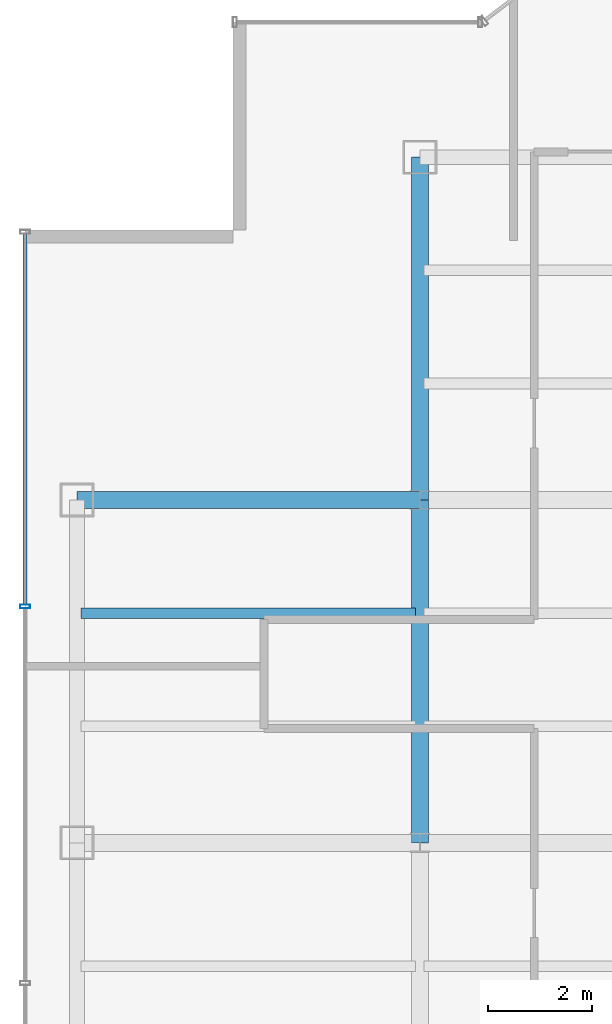
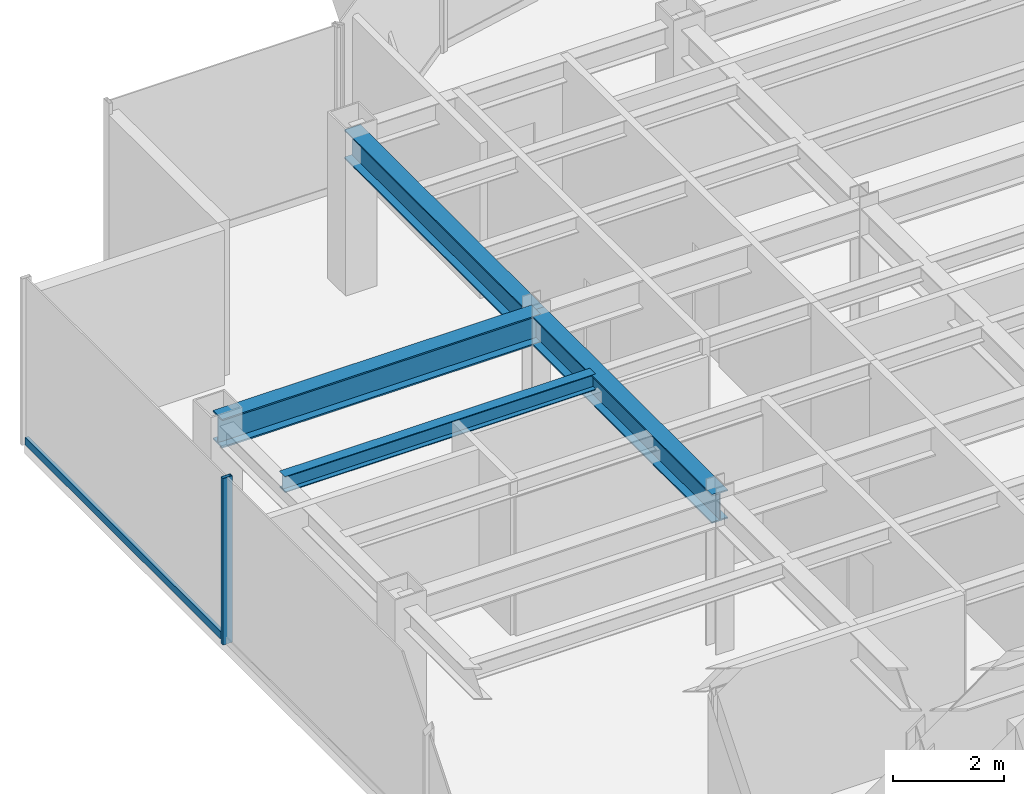
# One storey, part 7 of 25: 4 beams, 2 members, 1 element without a shape of its own.
"""IFC4 building model written with IfcOpenShell, lengths in metres."""

import ifcopenshell
import ifcopenshell.guid

model = None  # the IFC model being written
_history = None  # IfcOwnerHistory: only IFC2X3 demands one
_inside = {}  # id of a spatial element -> (the spatial element, [elements in it])
_under = {}  # id of a project, library or spatial element -> (it, [spatial elements below it])
_declared = {}  # id of a project -> (the project, [libraries it declares])
_typed = {}  # id of a type object -> (the type object, [elements of that type])
_made_of = {}  # id of a material, layer set ... -> (it, [elements and type objects made of it])


def new_model(schema):
    """Start an empty IFC model of exactly this schema.

    Asked for "IFC4X3", IfcOpenShell would pick the latest addendum, in which some entities
    have other attributes; the version numbers below select the first issue.
    IFC2X3 requires an IfcOwnerHistory on every rooted entity: one is made here for all.
    """
    global model, _history
    if schema == "IFC4X3":
        model = ifcopenshell.file(schema_version=(4, 3, 0, 0))
    else:
        model = ifcopenshell.file(schema=schema)
    _inside.clear()
    _under.clear()
    _declared.clear()
    _typed.clear()
    _made_of.clear()
    _history = None
    if model.schema == "IFC2X3":
        org = make("IfcOrganization", Name="unknown")
        user = make(
            "IfcPersonAndOrganization",
            ThePerson=make("IfcPerson", FamilyName="unknown"),
            TheOrganization=org,
        )
        app = make(
            "IfcApplication",
            ApplicationDeveloper=org,
            Version="unknown",
            ApplicationFullName="unknown",
            ApplicationIdentifier="unknown",
        )
        _history = make(
            "IfcOwnerHistory",
            OwningUser=user,
            OwningApplication=app,
            ChangeAction="ADDED",
            CreationDate=0,
        )
    return model


def make(cls, **values):
    """One entity of the class cls with the attributes given. An attribute that is None is left unset."""
    return model.create_entity(
        cls, **{name: value for name, value in values.items() if value is not None}
    )


def rooted(cls, **values):
    """An entity with a GlobalId (a new one), such as an element, a storey or a relation."""
    return make(cls, GlobalId=ifcopenshell.guid.new(), OwnerHistory=_history, **values)


def si_unit(unit_type, name, prefix=None):
    """IfcSIUnit, for example si_unit("LENGTHUNIT", "METRE", prefix="MILLI")."""
    return make("IfcSIUnit", UnitType=unit_type, Prefix=prefix, Name=name)


def derived_unit(unit_type, elements):
    """IfcDerivedUnit: a product of units, each with its exponent."""
    return make(
        "IfcDerivedUnit",
        Elements=[
            make("IfcDerivedUnitElement", Unit=unit, Exponent=power)
            for unit, power in elements
        ],
        UnitType=unit_type,
    )


def assignment(units):
    """IfcUnitAssignment: the units of a project."""
    return None if units is None else make("IfcUnitAssignment", Units=units)


def point(xyz):
    """IfcCartesianPoint."""
    return None if xyz is None else make("IfcCartesianPoint", Coordinates=xyz)


def direction(xyz):
    """IfcDirection."""
    return None if xyz is None else make("IfcDirection", DirectionRatios=xyz)


def frame(location, z_axis=None, x_axis=None):
    """IfcAxis2Placement3D, a coordinate frame: its origin and axes. An axis left out is left unset."""
    return make(
        "IfcAxis2Placement3D",
        Location=point(location),
        Axis=direction(z_axis),
        RefDirection=direction(x_axis),
    )


def frame_2d(location, x_axis=None):
    """IfcAxis2Placement2D, a coordinate frame in the plane: its origin and x axis."""
    return make(
        "IfcAxis2Placement2D", Location=point(location), RefDirection=direction(x_axis)
    )


def origin():
    """The frame at (0, 0, 0) with its axes left unset."""
    return frame((0.0, 0.0, 0.0))


def origin_2d():
    """The frame at (0, 0) in the plane with its x axis left unset."""
    return frame_2d((0.0, 0.0))


def place(relative_to, where):
    """IfcLocalPlacement: puts the frame where relative to a parent placement (None: the world)."""
    return make(
        "IfcLocalPlacement", PlacementRelTo=relative_to, RelativePlacement=where
    )


def context(
    kind, dimensions, precision=None, world=None, true_north=None, identifier=None
):
    """IfcGeometricRepresentationContext, for example the 3D "Model" context."""
    return make(
        "IfcGeometricRepresentationContext",
        ContextIdentifier=identifier,
        ContextType=kind,
        CoordinateSpaceDimension=dimensions,
        Precision=precision,
        WorldCoordinateSystem=world,
        TrueNorth=true_north,
    )


def subcontext(parent, identifier, kind, view, scale=None):
    """IfcGeometricRepresentationSubContext, for example "Body" below "Model"."""
    return make(
        "IfcGeometricRepresentationSubContext",
        ContextIdentifier=identifier,
        ContextType=kind,
        ParentContext=parent,
        TargetScale=scale,
        TargetView=view,
    )


def project(units=None, contexts=None):
    """IfcProject with its units and contexts."""
    return rooted(
        "IfcProject",
        Name="project",
        RepresentationContexts=contexts,
        UnitsInContext=assignment(units),
    )


def spatial(cls, under=None, at=None, **own):
    """A site, building, storey or space (cls), placed at a placement, below another one or the project."""
    s = rooted(cls, ObjectPlacement=at, **own)
    if under is not None:
        _under.setdefault(under.id(), (under, []))[1].append(s)
    return s


def profile(cls, at=None, kind="AREA", **sizes):
    """A parametric profile (cls). Its sizes go by their IFC names, for example OverallWidth=200.0."""
    return make(cls, ProfileType=kind, Position=at, **sizes)


def hollow_rectangle(**sizes):
    """IfcRectangleHollowProfileDef."""
    return profile("IfcRectangleHollowProfileDef", **sizes)


def i_section(**sizes):
    """IfcIShapeProfileDef."""
    return profile("IfcIShapeProfileDef", **sizes)


def extrude(swept, where, along, depth):
    """IfcExtrudedAreaSolid: the profile swept, set in the frame where, extruded along a direction by depth."""
    return make(
        "IfcExtrudedAreaSolid",
        SweptArea=swept,
        Position=where,
        ExtrudedDirection=direction(along),
        Depth=depth,
    )


def shape(context_of_items, identifier, shape_type, items):
    """IfcShapeRepresentation: the items that make up one representation, for example the "Body"."""
    return make(
        "IfcShapeRepresentation",
        ContextOfItems=context_of_items,
        RepresentationIdentifier=identifier,
        RepresentationType=shape_type,
        Items=items,
    )


def source(mapping_origin, context_of_items, identifier, shape_type, items):
    """IfcRepresentationMap: a shape defined once, which mapped items show again and again."""
    return make(
        "IfcRepresentationMap",
        MappingOrigin=mapping_origin,
        MappedRepresentation=shape(context_of_items, identifier, shape_type, items),
    )


def transform(
    local_origin,
    x_axis=None,
    y_axis=None,
    z_axis=None,
    scale=None,
    scale2=None,
    scale3=None,
    uniform=True,
):
    """IfcCartesianTransformationOperator3D, or its non-uniform kind. x_axis, y_axis, z_axis: its Axis1, 2, 3."""
    if uniform:
        return make(
            "IfcCartesianTransformationOperator3D",
            Axis1=direction(x_axis),
            Axis2=direction(y_axis),
            LocalOrigin=point(local_origin),
            Scale=scale,
            Axis3=direction(z_axis),
        )
    return make(
        "IfcCartesianTransformationOperator3DnonUniform",
        Axis1=direction(x_axis),
        Axis2=direction(y_axis),
        LocalOrigin=point(local_origin),
        Scale=scale,
        Axis3=direction(z_axis),
        Scale2=scale2,
        Scale3=scale3,
    )


def mapped(mapping_source, mapping_target):
    """IfcMappedItem: shows the shape of a source again, moved by a transform."""
    return make(
        "IfcMappedItem", MappingSource=mapping_source, MappingTarget=mapping_target
    )


def material(Name=None, Category=None):
    """IfcMaterial."""
    return make("IfcMaterial", Name=Name, Category=Category)


def material_profile(
    of_material, cross_section, Name=None, Category=None, Priority=None
):
    """IfcMaterialProfile: a cross section and its material."""
    return make(
        "IfcMaterialProfile",
        Name=Name,
        Material=of_material,
        Profile=cross_section,
        Priority=Priority,
        Category=Category,
    )


def profile_set(profiles, Name=None, composite=None):
    """IfcMaterialProfileSet."""
    return make(
        "IfcMaterialProfileSet",
        Name=Name,
        MaterialProfiles=profiles,
        CompositeProfile=composite,
    )


def made_of(thing, what):
    """Note that an element or type object is made of a material, layer set ...; save() writes the relation."""
    if what is not None:
        _made_of.setdefault(what.id(), (what, []))[1].append(thing)
    return thing


def type_object(cls, material=None, **own):
    """A type object (cls), such as IfcWallType, which elements share."""
    return made_of(rooted(cls, **own), material)


def element(
    cls,
    number,
    at=None,
    inside=None,
    cuts=None,
    type_object=None,
    material=None,
    context=None,
    identifier="Body",
    shape_type=None,
    held_by="IfcProductDefinitionShape",
    body=None,
    shapes=None,
    **own,
):
    """One element of the class cls, such as IfcWall. Its Tag is "e" and its number.

    at: its placement. inside: the storey or other place that contains it. cuts: it is an
    opening in that element (IfcRelVoidsElement). A single representation is given by context,
    identifier, shape_type and body (its items); several are given by shapes. held_by: the class
    of the entity that holds the representations. save() writes the other relations.
    """
    e = rooted(cls, Tag="e%d" % number, ObjectPlacement=at, **own)
    if body is not None:
        shapes = [shape(context, identifier, shape_type, body)]
    if shapes is not None:
        e.Representation = make(held_by, Representations=shapes)
    if inside is not None:
        _inside.setdefault(inside.id(), (inside, []))[1].append(e)
    if cuts is not None:
        rooted(
            "IfcRelVoidsElement", RelatingBuildingElement=cuts, RelatedOpeningElement=e
        )
    if type_object is not None:
        _typed.setdefault(type_object.id(), (type_object, []))[1].append(e)
    return made_of(e, material)


def aggregate(whole, parts):
    """IfcRelAggregates: a whole, such as a stair, and the parts it consists of."""
    return rooted("IfcRelAggregates", RelatingObject=whole, RelatedObjects=parts)


def save(model, path):
    """Write the relations noted so far, then the file.

    IfcRelAggregates (storeys below a building ...), IfcRelContainedInSpatialStructure (elements
    in a storey), IfcRelDefinesByType, IfcRelAssociatesMaterial and IfcRelDeclares: one each for
    every whole, place, type object, material and project.
    """
    for whole, parts in _under.values():
        aggregate(whole, parts)
    for where, things in _inside.values():
        rooted(
            "IfcRelContainedInSpatialStructure",
            RelatedElements=things,
            RelatingStructure=where,
        )
    for kind, things in _typed.values():
        rooted("IfcRelDefinesByType", RelatedObjects=things, RelatingType=kind)
    for what, things in _made_of.values():
        rooted("IfcRelAssociatesMaterial", RelatedObjects=things, RelatingMaterial=what)
    for by, libraries in _declared.values():
        rooted("IfcRelDeclares", RelatingContext=by, RelatedDefinitions=libraries)
    model.write(path)


model = new_model("IFC4")

# Units and contexts
model_context = context("Model", 3, precision=1e-05, world=origin(), true_north=direction((0.0, 1.0)))
body_context = subcontext(model_context, "Body", "Model", "MODEL_VIEW")
ifc_project = project(units=[si_unit("LENGTHUNIT", "METRE"), si_unit("AREAUNIT", "SQUARE_METRE"), si_unit("VOLUMEUNIT", "CUBIC_METRE"), si_unit("PLANEANGLEUNIT", "RADIAN"), si_unit("MASSUNIT", "GRAM", prefix="KILO"), derived_unit("THERMALTRANSMITTANCEUNIT", [(si_unit("POWERUNIT", "WATT"), 1), (si_unit("LENGTHUNIT", "METRE"), -2), (si_unit("THERMODYNAMICTEMPERATUREUNIT", "KELVIN"), -1)])], contexts=[model_context])

# Site, building, storey
site_placement = place(None, origin())
site = spatial("IfcSite", under=ifc_project, at=site_placement, CompositionType="ELEMENT")
building_placement = place(site_placement, origin())
building = spatial("IfcBuilding", under=site, at=building_placement, Name="Skarnbrae Concourse Arena and Tower", CompositionType="ELEMENT")
storey_placement = place(building_placement, frame((0.0, 0.0, 155.199951171875)))
storey = spatial("IfcBuildingStorey", under=building, at=storey_placement, Name="L39", CompositionType="ELEMENT", Elevation=155.199951171875)

# Beams
ifc_material_1 = material(Name="Steel CSA G40.21 350W", Category="steel")
ifc_material_profile_1 = material_profile(ifc_material_1, i_section(OverallWidth=0.3291015625, OverallDepth=0.635009765625, WebThickness=0.017822265625, FlangeThickness=0.031005859375, at=origin_2d()), Name="W610X241")
ifc_profile_set_1 = profile_set([ifc_material_profile_1], Name="Steel CSA G40.21 350W")
beam_type_1 = type_object("IfcBeamType", Name="BM-GIRD-W610X241", PredefinedType="BEAM", material=ifc_profile_set_1)
shared_shape_1 = source(origin(), body_context, "Body", "SweptSolid", [
    extrude(i_section(OverallWidth=0.3291015625, OverallDepth=0.635009765625, WebThickness=0.017822265625, FlangeThickness=0.031005859375, at=origin_2d()), origin(), (0.0, 0.0, 1.0), 6.60009765625),
])
for number, where, z_axis, x_axis, name in (
    (1, (1.0, 27.800048828125, 3.08251953125), (1.0, 0.0, 0.0), (0.0, 1.0, 0.0), "L39 Primary E-W girder Y27.8-1"),
    (2, (7.60009765625, 21.199951171875, 3.08251953125), (0.0, 1.0, 0.0), (-1.0, 0.0, 0.0), "L39 Primary N-S girder X7.6-2"),
):
    element("IfcBeam", number, at=place(storey_placement, frame(where, z_axis=z_axis, x_axis=x_axis)), inside=storey, type_object=beam_type_1, Name=name, PredefinedType="BEAM", context=body_context, shape_type="MappedRepresentation", body=[
        mapped(shared_shape_1, transform((0.0, 0.0, 0.0))),
    ])
shared_shape_2 = source(origin(), body_context, "Body", "SweptSolid", [
    extrude(i_section(OverallWidth=0.3291015625, OverallDepth=0.635009765625, WebThickness=0.017822265625, FlangeThickness=0.031005859375, at=origin_2d()), origin(), (0.0, 0.0, 1.0), 6.599853515625),
])
beam_1_placement = place(storey_placement, frame((7.60009765625, 27.800048828125, 3.08251953125), z_axis=(0.0, 1.0, 0.0), x_axis=(-1.0, 0.0, 0.0)))
element("IfcBeam", 3, at=beam_1_placement, inside=storey, type_object=beam_type_1, Name="L39 Primary N-S girder X7.6-3", PredefinedType="BEAM", context=body_context, shape_type="MappedRepresentation", body=[
    mapped(shared_shape_2, transform((0.0, 0.0, 0.0))),
])
ifc_material_profile_2 = material_profile(ifc_material_1, i_section(OverallWidth=0.205078125, OverallDepth=0.35400390625, WebThickness=0.009521484375, FlangeThickness=0.016845703125, at=origin_2d()), Name="W360X79")
ifc_profile_set_2 = profile_set([ifc_material_profile_2], Name="Steel CSA G40.21 350W")
beam_type_2 = type_object("IfcBeamType", Name="BM-JOIST-W360X79", PredefinedType="JOIST", material=ifc_profile_set_2)
shared_shape_3 = source(origin(), body_context, "Body", "SweptSolid", [
    extrude(i_section(OverallWidth=0.205078125, OverallDepth=0.35400390625, WebThickness=0.009521484375, FlangeThickness=0.016845703125, at=origin_2d()), origin(), (0.0, 0.0, 1.0), 6.43994140625),
])
beam_2_placement = place(storey_placement, frame((1.080078125, 25.6220703125, 3.22314453125), z_axis=(1.0, 0.0, 0.0), x_axis=(0.0, 1.0, 0.0)))
element("IfcBeam", 4, at=beam_2_placement, inside=storey, type_object=beam_type_2, Name="L39 Secondary floor joist 2.2.1", PredefinedType="JOIST", context=body_context, shape_type="MappedRepresentation", body=[
    mapped(shared_shape_3, transform((0.0, 0.0, 0.0))),
])

# Curtain wall, members
ifc_material_2 = material(Name="Bronze anodised aluminium 6063-T6", Category="aluminium")
curtain_wall_type = type_object("IfcCurtainWallType", Name="CW-SYS-04-MIDZONE", PredefinedType="USERDEFINED", material=ifc_material_2)
curtain_wall_placement = place(storey_placement, origin())
curtain_wall = element("IfcCurtainWall", 5, at=curtain_wall_placement, inside=storey, type_object=curtain_wall_type, Name="L39 Unitised curtain wall CW-L39-E18", ObjectType="UNITISED CURTAIN WALL", PredefinedType="USERDEFINED")
ifc_material_profile_3 = material_profile(ifc_material_2, hollow_rectangle(XDim=0.074951171875, YDim=0.195068359375, WallThickness=0.00439453125, at=origin_2d()), Name="ALU-MULL-75X195")
ifc_profile_set_3 = profile_set([ifc_material_profile_3], Name="Bronze anodised aluminium 6063-T6")
member_type_1 = type_object("IfcMemberType", Name="CWM-CW-04", PredefinedType="MULLION", material=ifc_profile_set_3)
shared_shape_4 = source(origin(), body_context, "Body", "SweptSolid", [
    extrude(hollow_rectangle(XDim=0.074951171875, YDim=0.195068359375, WallThickness=0.00439453125, at=origin_2d()), origin(), (0.0, 0.0, 1.0), 3.650146484375),
])
member_1_placement = place(storey_placement, frame((0.0, 25.75, 0.0), z_axis=(0.0, 0.0, 1.0), x_axis=(0.0, -1.0, 0.0)))
member_1 = element("IfcMember", 6, at=member_1_placement, type_object=member_type_1, Name="CW-L39-E18 Mullion 2", PredefinedType="MULLION", context=body_context, shape_type="MappedRepresentation", body=[
    mapped(shared_shape_4, transform((0.0, 0.0, 0.0))),
])
ifc_material_profile_4 = material_profile(ifc_material_2, hollow_rectangle(XDim=0.074951171875, YDim=0.159912109375, WallThickness=0.00439453125, at=origin_2d()), Name="ALU-TRAN-75X160")
ifc_profile_set_4 = profile_set([ifc_material_profile_4], Name="Bronze anodised aluminium 6063-T6")
member_type_2 = type_object("IfcMemberType", Name="CWT-CW-04", PredefinedType="USERDEFINED", material=ifc_profile_set_4)
shared_shape_5 = source(origin(), body_context, "Body", "SweptSolid", [
    extrude(hollow_rectangle(XDim=0.074951171875, YDim=0.159912109375, WallThickness=0.00439453125, at=origin_2d()), origin(), (0.0, 0.0, 1.0), 7.137451171875),
])
member_2_placement = place(storey_placement, frame((0.0, 32.925048828125, 0.080078125), z_axis=(0.0, -1.0, 0.0), x_axis=(1.0, 0.0, 0.0)))
member_2 = element("IfcMember", 7, at=member_2_placement, type_object=member_type_2, Name="CW-L39-E18 Transom 1", ObjectType="TRANSOM", PredefinedType="USERDEFINED", context=body_context, shape_type="MappedRepresentation", body=[
    mapped(shared_shape_5, transform((0.0, 0.0, 0.0))),
])
aggregate(curtain_wall, [member_1, member_2])

save(model, "model.ifc")
